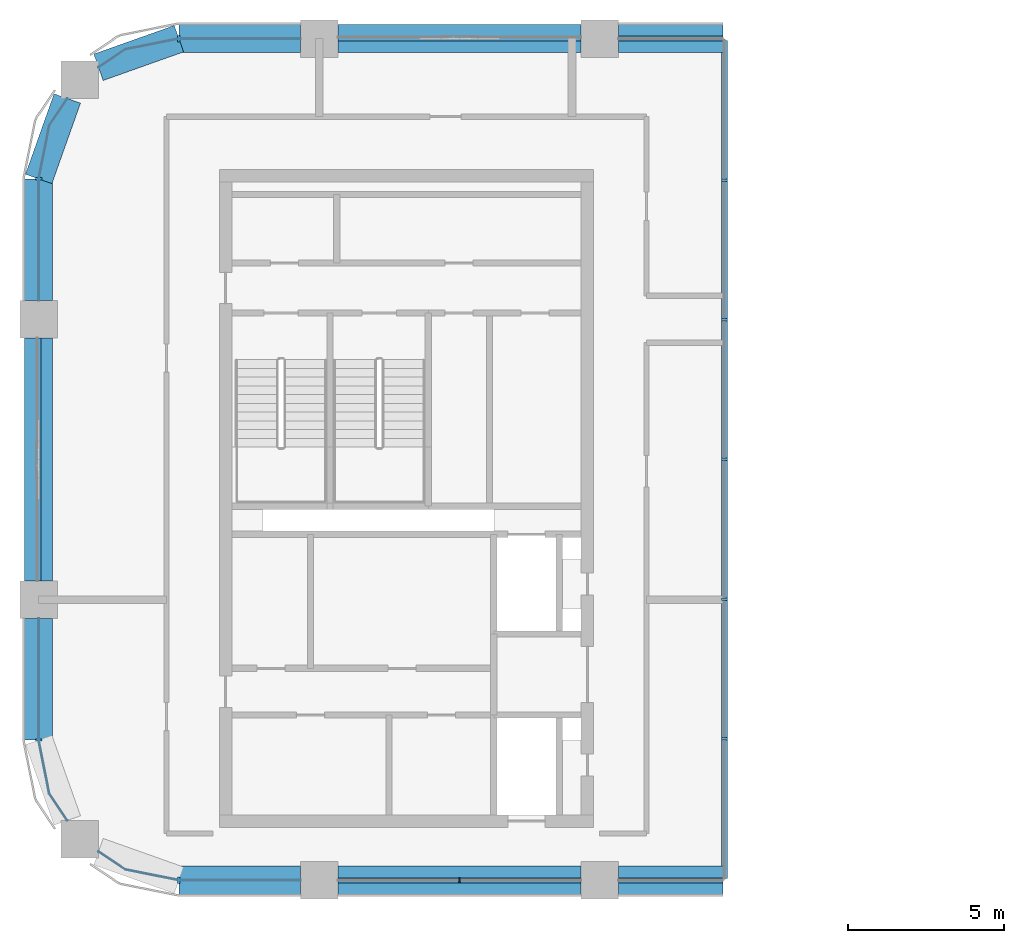
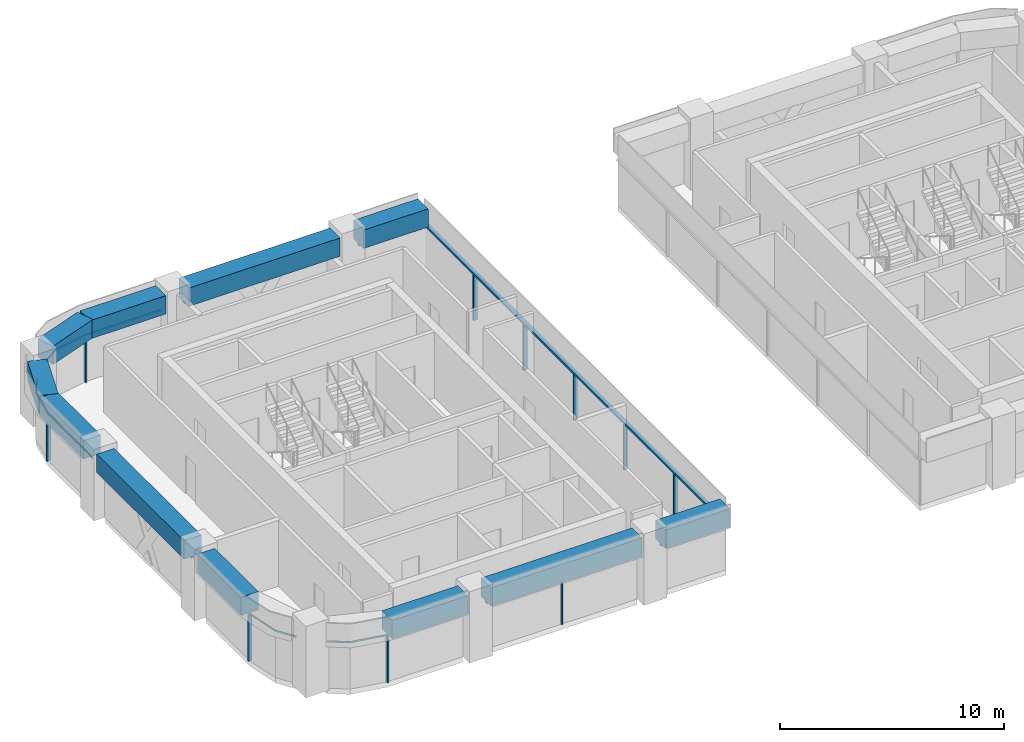
# One storey, part 2 of 16: 20 members, 11 beams, 10 elements without a shape of their own.
"""IFC4 building model written with IfcOpenShell, lengths in metres."""

from ifc_helpers import new_model, si_unit, direction, frame, origin, origin_2d, place, context, subcontext, project, spatial, polyline, rectangle, outline, extrude, material, material_profile, profile_set, type_object, element, aggregate, save


model = new_model("IFC4")

# Units and contexts
model_context = context("Model", 3, precision=1e-05, world=origin(), true_north=direction((0.0, 1.0)))
body_context = subcontext(model_context, "Body", "Model", "MODEL_VIEW")
ifc_project = project(units=[si_unit("LENGTHUNIT", "METRE"), si_unit("AREAUNIT", "SQUARE_METRE"), si_unit("VOLUMEUNIT", "CUBIC_METRE"), si_unit("PLANEANGLEUNIT", "RADIAN"), si_unit("MASSUNIT", "GRAM", prefix="KILO")], contexts=[model_context])

# Site, building, storey
site_placement = place(None, origin())
site = spatial("IfcSite", under=ifc_project, at=site_placement, CompositionType="ELEMENT")
building_placement = place(site_placement, origin())
building = spatial("IfcBuilding", under=site, at=building_placement, Name="Tessera Arch", CompositionType="ELEMENT")
storey_placement = place(building_placement, frame((0.0, 0.0, 218.89990234375)))
storey = spatial("IfcBuildingStorey", under=building, at=storey_placement, Name="L52", CompositionType="ELEMENT", Elevation=218.89990234375)

# Curtain wall, members
ifc_material_1 = material(Name="CW1 curtain wall")
curtain_wall_type_1 = type_object("IfcCurtainWallType", Name="CW1 curtain wall", PredefinedType="NOTDEFINED", material=ifc_material_1)
curtain_wall_1_placement = place(storey_placement, origin())
curtain_wall_1 = element("IfcCurtainWall", 1, at=curtain_wall_1_placement, inside=storey, type_object=curtain_wall_type_1, Name="CW1 curtain wall S27.0/0 L52", PredefinedType="NOTDEFINED")
ifc_material_2 = material(Name="Anodised aluminium pale metal", Category="aluminium")
ifc_material_profile_1 = material_profile(ifc_material_2, rectangle(XDim=0.159912109375, YDim=0.06005859375, at=origin_2d()), Name="AL 60x160")
ifc_profile_set_1 = profile_set([ifc_material_profile_1], Name="Anodised aluminium pale metal")
member_type_1 = type_object("IfcMemberType", Name="CW1 mullion", PredefinedType="MULLION", material=ifc_profile_set_1)
member_1_placement = place(storey_placement, frame((13.5, 27.0, 0.0), z_axis=(0.0, 0.0, 1.0), x_axis=(0.0, 1.0, 0.0)))
member_1 = element("IfcMember", 2, at=member_1_placement, type_object=member_type_1, Name="CW1 mullion S27.0/0 1", PredefinedType="MULLION", context=body_context, shape_type="SweptSolid", body=[
    extrude(rectangle(XDim=0.159912109375, YDim=0.06005859375, at=origin_2d()), origin(), (0.0, 0.0, 1.0), 2.5),
])
ifc_material_3 = material(Name="Anodised aluminium pale metal", Category="aluminium")
ifc_material_profile_2 = material_profile(ifc_material_3, rectangle(XDim=0.159912109375, YDim=0.10009765625, at=origin_2d()), Name="AL 160x100")
ifc_profile_set_2 = profile_set([ifc_material_profile_2], Name="Anodised aluminium pale metal")
member_type_2 = type_object("IfcMemberType", Name="CW1 transom", PredefinedType="USERDEFINED", material=ifc_profile_set_2)
member_2_placement = place(storey_placement, frame((9.60009765625, 27.0, 2.550048828125), z_axis=(1.0, 0.0, 0.0), x_axis=(0.0, 1.0, 0.0)))
member_2 = element("IfcMember", 3, at=member_2_placement, type_object=member_type_2, Name="CW1 transom S27.0/0 1.1", ObjectType="TRANSOM", PredefinedType="USERDEFINED", context=body_context, shape_type="SweptSolid", body=[
    extrude(rectangle(XDim=0.159912109375, YDim=0.10009765625, at=origin_2d()), origin(), (0.0, 0.0, 1.0), 7.7998046875),
])
aggregate(curtain_wall_1, [member_1, member_2])

# Curtain wall, member
curtain_wall_2_placement = place(storey_placement, origin())
curtain_wall_2 = element("IfcCurtainWall", 4, at=curtain_wall_2_placement, inside=storey, type_object=curtain_wall_type_1, Name="CW1 curtain wall S27.0/1 L52", PredefinedType="NOTDEFINED")
member_3_placement = place(storey_placement, frame((18.60009765625, 27.0, 2.550048828125), z_axis=(1.0, 0.0, 0.0), x_axis=(0.0, 1.0, 0.0)))
member_3 = element("IfcMember", 5, at=member_3_placement, type_object=member_type_2, Name="CW1 transom S27.0/1 1.1", ObjectType="TRANSOM", PredefinedType="USERDEFINED", context=body_context, shape_type="SweptSolid", body=[
    extrude(rectangle(XDim=0.159912109375, YDim=0.10009765625, at=origin_2d()), origin(), (0.0, 0.0, 1.0), 3.349853515625),
])
aggregate(curtain_wall_2, [member_3])

curtain_wall_3_placement = place(storey_placement, origin())
curtain_wall_3 = element("IfcCurtainWall", 6, at=curtain_wall_3_placement, inside=storey, type_object=curtain_wall_type_1, Name="CW1 curtain wall N54.0/0 L52", PredefinedType="NOTDEFINED")
member_4_placement = place(storey_placement, frame((21.949951171875, 54.0, 2.550048828125), z_axis=(-1.0, 0.0, 0.0), x_axis=(0.0, -1.0, 0.0)))
member_4 = element("IfcMember", 7, at=member_4_placement, type_object=member_type_2, Name="CW1 transom N54.0/0 1.1", ObjectType="TRANSOM", PredefinedType="USERDEFINED", context=body_context, shape_type="SweptSolid", body=[
    extrude(rectangle(XDim=0.159912109375, YDim=0.10009765625, at=origin_2d()), origin(), (0.0, 0.0, 1.0), 3.349853515625),
])
aggregate(curtain_wall_3, [member_4])

ifc_material_4 = material(Name="CW2 curtain wall")
curtain_wall_type_2 = type_object("IfcCurtainWallType", Name="CW2 curtain wall", PredefinedType="NOTDEFINED", material=ifc_material_4)
curtain_wall_4_placement = place(storey_placement, origin())
curtain_wall_4 = element("IfcCurtainWall", 8, at=curtain_wall_4_placement, inside=storey, type_object=curtain_wall_type_2, Name="CW2 curtain wall N54.0/2 L52", PredefinedType="NOTDEFINED")
ifc_material_5 = material(Name="Anodised aluminium pale metal", Category="aluminium")
ifc_material_profile_3 = material_profile(ifc_material_5, rectangle(XDim=0.199951171875, YDim=0.080078125, at=origin_2d()), Name="AL 80x200")
ifc_profile_set_3 = profile_set([ifc_material_profile_3], Name="Anodised aluminium pale metal")
member_type_3 = type_object("IfcMemberType", Name="CW2 mullion", PredefinedType="MULLION", material=ifc_profile_set_3)
member_5_placement = place(storey_placement, frame((4.5, 54.0, 0.0), z_axis=(0.0, 0.0, 1.0), x_axis=(0.0, -1.0, 0.0)))
member_5 = element("IfcMember", 9, at=member_5_placement, type_object=member_type_3, Name="CW2 mullion N54.0/2 1", PredefinedType="MULLION", context=body_context, shape_type="SweptSolid", body=[
    extrude(rectangle(XDim=0.199951171875, YDim=0.080078125, at=origin_2d()), origin(), (0.0, 0.0, 1.0), 2.5),
])

curtain_wall_5_placement = place(storey_placement, origin())
curtain_wall_5 = element("IfcCurtainWall", 10, at=curtain_wall_5_placement, inside=storey, type_object=curtain_wall_type_2, Name="CW2 curtain wall W0.27/0 L52", PredefinedType="NOTDEFINED")
member_6_placement = place(storey_placement, frame((0.0, 49.5, 0.0), z_axis=(0.0, 0.0, 1.0), x_axis=(1.0, 0.0, 0.0)))
member_6 = element("IfcMember", 11, at=member_6_placement, type_object=member_type_3, Name="CW2 mullion W0.27/0 1", PredefinedType="MULLION", context=body_context, shape_type="SweptSolid", body=[
    extrude(rectangle(XDim=0.199951171875, YDim=0.080078125, at=origin_2d()), origin(), (0.0, 0.0, 1.0), 2.5),
])

curtain_wall_6_placement = place(storey_placement, origin())
curtain_wall_6 = element("IfcCurtainWall", 12, at=curtain_wall_6_placement, inside=storey, type_object=curtain_wall_type_2, Name="CW2 curtain wall W0.27/2 L52", PredefinedType="NOTDEFINED")
member_7_placement = place(storey_placement, frame((0.0, 31.5, 0.0), z_axis=(0.0, 0.0, 1.0), x_axis=(1.0, 0.0, 0.0)))
member_7 = element("IfcMember", 13, at=member_7_placement, type_object=member_type_3, Name="CW2 mullion W0.27/2 1", PredefinedType="MULLION", context=body_context, shape_type="SweptSolid", body=[
    extrude(rectangle(XDim=0.199951171875, YDim=0.080078125, at=origin_2d()), origin(), (0.0, 0.0, 1.0), 2.5),
])

curtain_wall_7_placement = place(storey_placement, origin())
curtain_wall_7 = element("IfcCurtainWall", 14, at=curtain_wall_7_placement, inside=storey, type_object=curtain_wall_type_2, Name="CW2 curtain wall S27.0/2 L52", PredefinedType="NOTDEFINED")
member_8_placement = place(storey_placement, frame((4.5, 27.0, 0.0), z_axis=(0.0, 0.0, 1.0), x_axis=(0.0, 1.0, 0.0)))
member_8 = element("IfcMember", 15, at=member_8_placement, type_object=member_type_3, Name="CW2 mullion S27.0/2 1", PredefinedType="MULLION", context=body_context, shape_type="SweptSolid", body=[
    extrude(rectangle(XDim=0.199951171875, YDim=0.080078125, at=origin_2d()), origin(), (0.0, 0.0, 1.0), 2.5),
])

# Member
ifc_material_6 = material(Name="Anodised aluminium pale metal", Category="aluminium")
ifc_material_profile_4 = material_profile(ifc_material_6, rectangle(XDim=0.199951171875, YDim=0.10009765625, at=origin_2d()), Name="AL 200x100")
ifc_profile_set_4 = profile_set([ifc_material_profile_4], Name="Anodised aluminium pale metal")
member_type_4 = type_object("IfcMemberType", Name="CW2 transom", PredefinedType="USERDEFINED", material=ifc_profile_set_4)
member_9_placement = place(storey_placement, frame((0.0, 0.0, 2.5)))
member_9 = element("IfcMember", 16, at=member_9_placement, type_object=member_type_4, Name="CW2 transom N54.0/2 1", ObjectType="TRANSOM", PredefinedType="USERDEFINED", context=body_context, shape_type="SweptSolid", body=[
    extrude(outline(polyline([(4.5009765625, 53.989990234375), (8.39990234375, 53.989990234375), (8.39990234375, 54.010009765625), (4.4990234375, 54.010009765625), (2.77392578125, 53.6669921875), (1.912353515625, 53.09130859375), (1.923583984375, 53.07470703125), (2.78173828125, 53.648193359375), (4.5009765625, 53.989990234375)])), origin(), (0.0, 0.0, 1.0), 0.10009765625),
])

aggregate(curtain_wall_4, [member_5, member_9])

member_10_placement = place(storey_placement, frame((0.0, 0.0, 2.5)))
member_10 = element("IfcMember", 17, at=member_10_placement, type_object=member_type_4, Name="CW2 transom W0.27/0 1", ObjectType="TRANSOM", PredefinedType="USERDEFINED", context=body_context, shape_type="SweptSolid", body=[
    extrude(outline(polyline([(0.351806640625, 51.21826171875), (0.92529296875, 52.076416015625), (0.90869140625, 52.087646484375), (0.3330078125, 51.22607421875), (-0.010009765625, 49.5009765625), (-0.010009765625, 45.60009765625), (0.010009765625, 45.60009765625), (0.010009765625, 49.4990234375), (0.351806640625, 51.21826171875)])), origin(), (0.0, 0.0, 1.0), 0.10009765625),
])

aggregate(curtain_wall_5, [member_6, member_10])

member_11_placement = place(storey_placement, frame((0.0, 0.0, 2.5)))
member_11 = element("IfcMember", 18, at=member_11_placement, type_object=member_type_4, Name="CW2 transom W0.27/2 1", ObjectType="TRANSOM", PredefinedType="USERDEFINED", context=body_context, shape_type="SweptSolid", body=[
    extrude(outline(polyline([(0.010009765625, 31.5009765625), (0.010009765625, 35.39990234375), (-0.010009765625, 35.39990234375), (-0.010009765625, 31.4990234375), (0.3330078125, 29.77392578125), (0.90869140625, 28.912353515625), (0.92529296875, 28.923583984375), (0.351806640625, 29.78173828125), (0.010009765625, 31.5009765625)])), origin(), (0.0, 0.0, 1.0), 0.10009765625),
])

aggregate(curtain_wall_6, [member_7, member_11])

member_12_placement = place(storey_placement, frame((0.0, 0.0, 2.5)))
member_12 = element("IfcMember", 19, at=member_12_placement, type_object=member_type_4, Name="CW2 transom S27.0/2 1", ObjectType="TRANSOM", PredefinedType="USERDEFINED", context=body_context, shape_type="SweptSolid", body=[
    extrude(outline(polyline([(2.78173828125, 27.351806640625), (1.923583984375, 27.92529296875), (1.912353515625, 27.90869140625), (2.77392578125, 27.3330078125), (4.4990234375, 26.989990234375), (8.39990234375, 26.989990234375), (8.39990234375, 27.010009765625), (4.5009765625, 27.010009765625), (2.78173828125, 27.351806640625)])), origin(), (0.0, 0.0, 1.0), 0.10009765625),
])

aggregate(curtain_wall_7, [member_8, member_12])

# Curtain wall, member
ifc_material_7 = material(Name="CW3 curtain wall")
curtain_wall_type_3 = type_object("IfcCurtainWallType", Name="CW3 curtain wall", PredefinedType="NOTDEFINED", material=ifc_material_7)
curtain_wall_8_placement = place(storey_placement, origin())
curtain_wall_8 = element("IfcCurtainWall", 20, at=curtain_wall_8_placement, inside=storey, type_object=curtain_wall_type_3, Name="CW3 curtain wall N54.0/1 L52", PredefinedType="NOTDEFINED")
ifc_material_8 = material(Name="Anodised aluminium pale metal", Category="aluminium")
ifc_material_profile_5 = material_profile(ifc_material_8, rectangle(XDim=0.139892578125, YDim=0.10009765625, at=origin_2d()), Name="AL 140x100")
ifc_profile_set_5 = profile_set([ifc_material_profile_5], Name="Anodised aluminium pale metal")
member_type_5 = type_object("IfcMemberType", Name="CW3 transom", PredefinedType="USERDEFINED", material=ifc_profile_set_5)
member_13_placement = place(storey_placement, frame((17.39990234375, 54.0, 2.550048828125), z_axis=(-1.0, 0.0, 0.0), x_axis=(0.0, -1.0, 0.0)))
member_13 = element("IfcMember", 21, at=member_13_placement, type_object=member_type_5, Name="CW3 transom N54.0/1 1.1", ObjectType="TRANSOM", PredefinedType="USERDEFINED", context=body_context, shape_type="SweptSolid", body=[
    extrude(rectangle(XDim=0.139892578125, YDim=0.10009765625, at=origin_2d()), origin(), (0.0, 0.0, 1.0), 7.7998046875),
])
aggregate(curtain_wall_8, [member_13])

curtain_wall_9_placement = place(storey_placement, origin())
curtain_wall_9 = element("IfcCurtainWall", 22, at=curtain_wall_9_placement, inside=storey, type_object=curtain_wall_type_3, Name="CW3 curtain wall W0.27/1 L52", PredefinedType="NOTDEFINED")
member_14_placement = place(storey_placement, frame((0.0, 44.39990234375, 2.550048828125), z_axis=(0.0, -1.0, 0.0), x_axis=(1.0, 0.0, 0.0)))
member_14 = element("IfcMember", 23, at=member_14_placement, type_object=member_type_5, Name="CW3 transom W0.27/1 1.1", ObjectType="TRANSOM", PredefinedType="USERDEFINED", context=body_context, shape_type="SweptSolid", body=[
    extrude(rectangle(XDim=0.139892578125, YDim=0.10009765625, at=origin_2d()), origin(), (0.0, 0.0, 1.0), 7.7998046875),
])
aggregate(curtain_wall_9, [member_14])

# Curtain wall, members
ifc_material_9 = material(Name="CW5 curtain wall")
curtain_wall_type_4 = type_object("IfcCurtainWallType", Name="CW5 curtain wall", PredefinedType="NOTDEFINED", material=ifc_material_9)
curtain_wall_10_placement = place(storey_placement, origin())
curtain_wall_10 = element("IfcCurtainWall", 24, at=curtain_wall_10_placement, inside=storey, type_object=curtain_wall_type_4, Name="CW5 curtain wall E22.27/0 L52", PredefinedType="NOTDEFINED")
ifc_material_10 = material(Name="Anodised aluminium pale metal", Category="aluminium")
ifc_material_profile_6 = material_profile(ifc_material_10, rectangle(XDim=0.199951171875, YDim=0.080078125, at=origin_2d()), Name="AL 80x200")
ifc_profile_set_6 = profile_set([ifc_material_profile_6], Name="Anodised aluminium pale metal")
member_type_6 = type_object("IfcMemberType", Name="CW5 mullion", PredefinedType="MULLION", material=ifc_profile_set_6)
member_15_placement = place(storey_placement, frame((22.0, 31.533447265625, 0.0), z_axis=(0.0, 0.0, 1.0), x_axis=(-1.0, 0.0, 0.0)))
member_15 = element("IfcMember", 25, at=member_15_placement, type_object=member_type_6, Name="CW5 mullion E22.27/0 1", PredefinedType="MULLION", context=body_context, shape_type="SweptSolid", body=[
    extrude(rectangle(XDim=0.199951171875, YDim=0.080078125, at=origin_2d()), origin(), (0.0, 0.0, 1.0), 2.5),
])
member_16_placement = place(storey_placement, frame((22.0, 36.0166015625, 0.0), z_axis=(0.0, 0.0, 1.0), x_axis=(-1.0, 0.0, 0.0)))
member_16 = element("IfcMember", 26, at=member_16_placement, type_object=member_type_6, Name="CW5 mullion E22.27/0 2", PredefinedType="MULLION", context=body_context, shape_type="SweptSolid", body=[
    extrude(rectangle(XDim=0.199951171875, YDim=0.080078125, at=origin_2d()), origin(), (0.0, 0.0, 1.0), 2.5),
])
member_17_placement = place(storey_placement, frame((22.0, 40.5, 0.0), z_axis=(0.0, 0.0, 1.0), x_axis=(-1.0, 0.0, 0.0)))
member_17 = element("IfcMember", 27, at=member_17_placement, type_object=member_type_6, Name="CW5 mullion E22.27/0 3", PredefinedType="MULLION", context=body_context, shape_type="SweptSolid", body=[
    extrude(rectangle(XDim=0.199951171875, YDim=0.080078125, at=origin_2d()), origin(), (0.0, 0.0, 1.0), 2.5),
])
member_18_placement = place(storey_placement, frame((22.0, 44.9833984375, 0.0), z_axis=(0.0, 0.0, 1.0), x_axis=(-1.0, 0.0, 0.0)))
member_18 = element("IfcMember", 28, at=member_18_placement, type_object=member_type_6, Name="CW5 mullion E22.27/0 4", PredefinedType="MULLION", context=body_context, shape_type="SweptSolid", body=[
    extrude(rectangle(XDim=0.199951171875, YDim=0.080078125, at=origin_2d()), origin(), (0.0, 0.0, 1.0), 2.5),
])
member_19_placement = place(storey_placement, frame((22.0, 49.466552734375, 0.0), z_axis=(0.0, 0.0, 1.0), x_axis=(-1.0, 0.0, 0.0)))
member_19 = element("IfcMember", 29, at=member_19_placement, type_object=member_type_6, Name="CW5 mullion E22.27/0 5", PredefinedType="MULLION", context=body_context, shape_type="SweptSolid", body=[
    extrude(rectangle(XDim=0.199951171875, YDim=0.080078125, at=origin_2d()), origin(), (0.0, 0.0, 1.0), 2.5),
])
ifc_material_11 = material(Name="Anodised aluminium pale metal", Category="aluminium")
ifc_material_profile_7 = material_profile(ifc_material_11, rectangle(XDim=0.199951171875, YDim=0.10009765625, at=origin_2d()), Name="AL 200x100")
ifc_profile_set_7 = profile_set([ifc_material_profile_7], Name="Anodised aluminium pale metal")
member_type_7 = type_object("IfcMemberType", Name="CW5 transom", PredefinedType="USERDEFINED", material=ifc_profile_set_7)
member_20_placement = place(storey_placement, frame((22.0, 27.050048828125, 2.550048828125), z_axis=(0.0, 1.0, 0.0), x_axis=(-1.0, 0.0, 0.0)))
member_20 = element("IfcMember", 30, at=member_20_placement, type_object=member_type_7, Name="CW5 transom E22.27/0 1.1", ObjectType="TRANSOM", PredefinedType="USERDEFINED", context=body_context, shape_type="SweptSolid", body=[
    extrude(rectangle(XDim=0.199951171875, YDim=0.10009765625, at=origin_2d()), origin(), (0.0, 0.0, 1.0), 26.89990234375),
])
aggregate(curtain_wall_10, [member_15, member_16, member_17, member_18, member_19, member_20])

# Beams
ifc_material_12 = material(Name="Concrete C60/75", Category="concrete")
ifc_material_profile_8 = material_profile(ifc_material_12, rectangle(XDim=0.89990234375, YDim=1.0, at=origin_2d()), Name="RC spandrel beam 900 x 1000 Concrete C60/75")
ifc_profile_set_8 = profile_set([ifc_material_profile_8], Name="Concrete C60/75")
beam_type = type_object("IfcBeamType", Name="RC spandrel beam 900 x 1000 Concrete C60/75", PredefinedType="BEAM", material=ifc_profile_set_8)
beam_1_placement = place(storey_placement, frame((9.60009765625, 27.0, 3.10009765625), z_axis=(1.0, 0.0, 0.0), x_axis=(0.0, 1.0, 0.0)))
element("IfcBeam", 31, at=beam_1_placement, inside=storey, type_object=beam_type, Name="Spandrel beam L52 S27.0/0", PredefinedType="BEAM", context=body_context, shape_type="SweptSolid", body=[
    extrude(rectangle(XDim=0.89990234375, YDim=1.0, at=origin_2d()), origin(), (0.0, 0.0, 1.0), 7.7998046875),
])
for number, where, z_axis, x_axis, name in (
    (32, (18.60009765625, 27.0, 3.10009765625), (1.0, 0.0, 0.0), (0.0, 1.0, 0.0), "Spandrel beam L52 S27.0/1"),
    (33, (21.949951171875, 54.0, 3.10009765625), (-1.0, 0.0, 0.0), (0.0, -1.0, 0.0), "Spandrel beam L52 N54.0/0"),
):
    element("IfcBeam", number, at=place(storey_placement, frame(where, z_axis=z_axis, x_axis=x_axis)), inside=storey, type_object=beam_type, Name=name, PredefinedType="BEAM", context=body_context, shape_type="SweptSolid", body=[
        extrude(rectangle(XDim=0.89990234375, YDim=1.0, at=origin_2d()), origin(), (0.0, 0.0, 1.0), 3.349853515625),
    ])
beam_2_placement = place(storey_placement, frame((17.39990234375, 54.0, 3.10009765625), z_axis=(-1.0, 0.0, 0.0), x_axis=(0.0, -1.0, 0.0)))
element("IfcBeam", 34, at=beam_2_placement, inside=storey, type_object=beam_type, Name="Spandrel beam L52 N54.0/1", PredefinedType="BEAM", context=body_context, shape_type="SweptSolid", body=[
    extrude(rectangle(XDim=0.89990234375, YDim=1.0, at=origin_2d()), origin(), (0.0, 0.0, 1.0), 7.7998046875),
])
beam_3_placement = place(storey_placement, frame((8.39990234375, 54.0, 3.10009765625), z_axis=(-1.0, 0.0, 0.0), x_axis=(0.0, -1.0, 0.0)))
element("IfcBeam", 35, at=beam_3_placement, inside=storey, type_object=beam_type, Name="Spandrel beam L52 N54.0/2.1", PredefinedType="BEAM", context=body_context, shape_type="SweptSolid", body=[
    extrude(rectangle(XDim=0.89990234375, YDim=1.0, at=origin_2d()), origin(), (0.0, 0.0, 1.0), 3.89990234375),
])
for number, where, z_axis, x_axis, name in (
    (36, (4.5, 54.0, 3.10009765625), (-0.942337127159, -0.334665114373, 0.0), (0.334665114373, -0.942337127159, 0.0), "Spandrel beam L52 N54.0/2.2"),
    (37, (0.9169921875, 52.08203125, 3.10009765625), (-0.334665114373, -0.942337127159, 0.0), (0.942337127159, -0.334665114373, 0.0), "Spandrel beam L52 W0.27/0.1"),
):
    element("IfcBeam", number, at=place(storey_placement, frame(where, z_axis=z_axis, x_axis=x_axis)), inside=storey, type_object=beam_type, Name=name, PredefinedType="BEAM", context=body_context, shape_type="SweptSolid", body=[
        extrude(rectangle(XDim=0.89990234375, YDim=1.0, at=origin_2d()), origin(), (0.0, 0.0, 1.0), 2.739990234375),
    ])
beam_4_placement = place(storey_placement, frame((0.0, 49.5, 3.10009765625), z_axis=(0.0, -1.0, 0.0), x_axis=(1.0, 0.0, 0.0)))
element("IfcBeam", 38, at=beam_4_placement, inside=storey, type_object=beam_type, Name="Spandrel beam L52 W0.27/0.2", PredefinedType="BEAM", context=body_context, shape_type="SweptSolid", body=[
    extrude(rectangle(XDim=0.89990234375, YDim=1.0, at=origin_2d()), origin(), (0.0, 0.0, 1.0), 3.89990234375),
])
beam_5_placement = place(storey_placement, frame((0.0, 44.39990234375, 3.10009765625), z_axis=(0.0, -1.0, 0.0), x_axis=(1.0, 0.0, 0.0)))
element("IfcBeam", 39, at=beam_5_placement, inside=storey, type_object=beam_type, Name="Spandrel beam L52 W0.27/1", PredefinedType="BEAM", context=body_context, shape_type="SweptSolid", body=[
    extrude(rectangle(XDim=0.89990234375, YDim=1.0, at=origin_2d()), origin(), (0.0, 0.0, 1.0), 7.7998046875),
])
for number, where, z_axis, x_axis, name in (
    (40, (0.0, 35.39990234375, 3.10009765625), (0.0, -1.0, 0.0), (1.0, 0.0, 0.0), "Spandrel beam L52 W0.27/2.1"),
    (41, (4.5, 27.0, 3.10009765625), (1.0, 0.0, 0.0), (0.0, 1.0, 0.0), "Spandrel beam L52 S27.0/2.2"),
):
    element("IfcBeam", number, at=place(storey_placement, frame(where, z_axis=z_axis, x_axis=x_axis)), inside=storey, type_object=beam_type, Name=name, PredefinedType="BEAM", context=body_context, shape_type="SweptSolid", body=[
        extrude(rectangle(XDim=0.89990234375, YDim=1.0, at=origin_2d()), origin(), (0.0, 0.0, 1.0), 3.89990234375),
    ])

save(model, "model.ifc")
